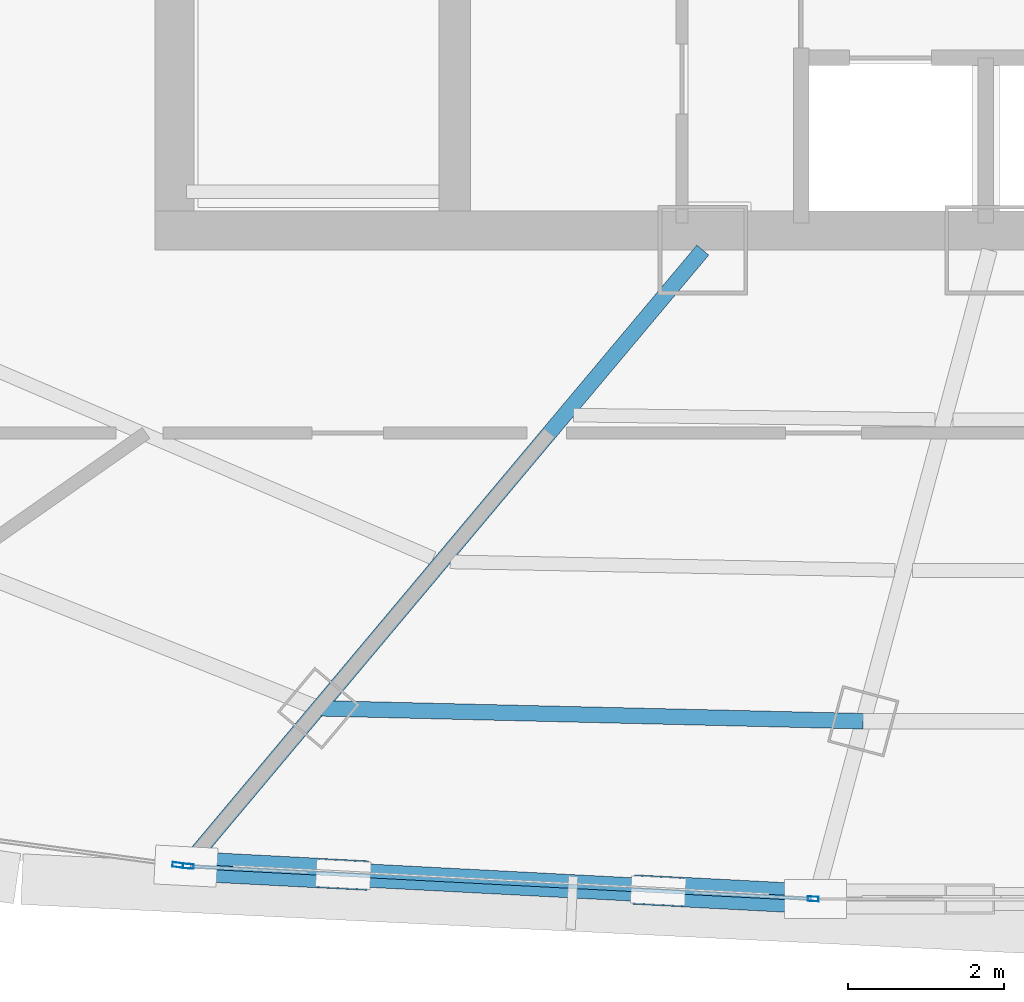
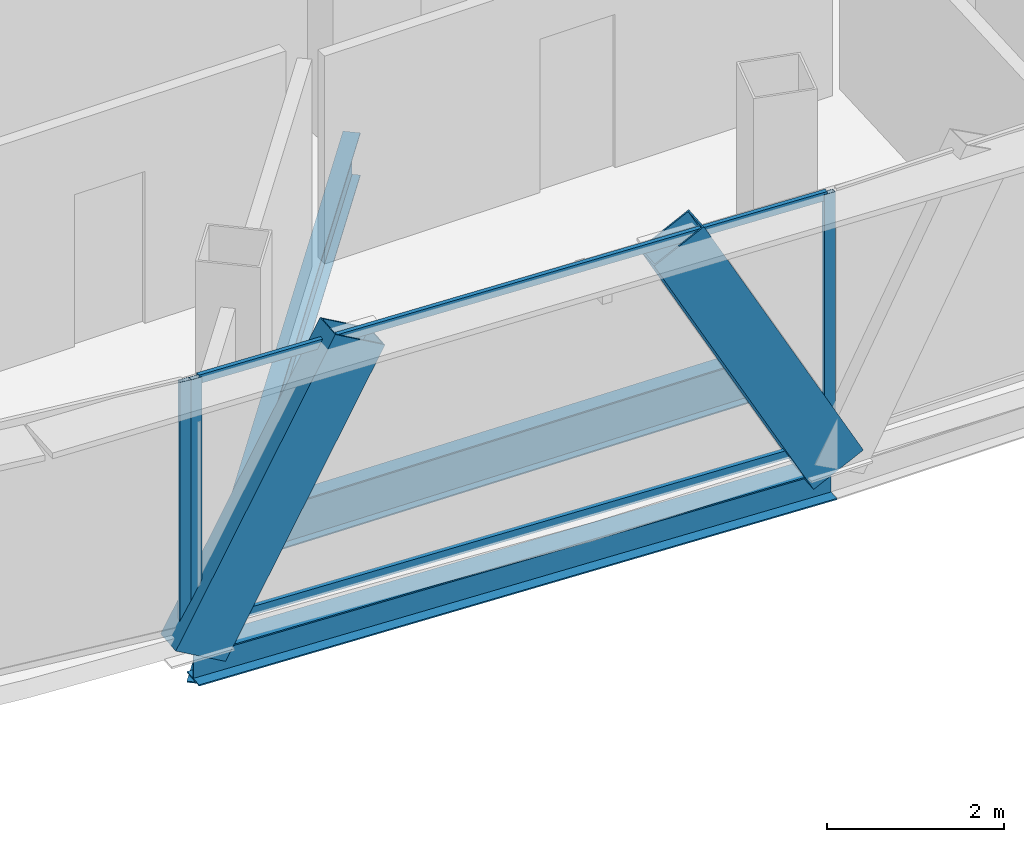
# One storey, part 6 of 40: 7 members, 3 beams, 2 elements without a shape of their own.
"""IFC4 building model written with IfcOpenShell, lengths in metres."""

from ifc_helpers import new_model, si_unit, direction, frame, origin, origin_2d, place, context, subcontext, project, spatial, hollow_rectangle, i_section, extrude, source, transform, mapped, material, layer, layer_set, material_profile, profile_set, type_object, element, aggregate, save


model = new_model("IFC4")

# Units and contexts
model_context = context("Model", 3, precision=1e-05, world=origin(), true_north=direction((0.0, 1.0)))
body_context = subcontext(model_context, "Body", "Model", "MODEL_VIEW")
ifc_project = project(units=[si_unit("LENGTHUNIT", "METRE"), si_unit("AREAUNIT", "SQUARE_METRE"), si_unit("VOLUMEUNIT", "CUBIC_METRE"), si_unit("PLANEANGLEUNIT", "RADIAN"), si_unit("MASSUNIT", "GRAM", prefix="KILO"), si_unit("THERMODYNAMICTEMPERATUREUNIT", "KELVIN"), si_unit("POWERUNIT", "WATT")], contexts=[model_context])

# Site, building, storey
site_placement = place(None, origin())
site = spatial("IfcSite", under=ifc_project, at=site_placement, CompositionType="ELEMENT")
building_placement = place(site_placement, origin())
building = spatial("IfcBuilding", under=site, at=building_placement, Name="Yunzhuo Pagoda Commons", CompositionType="ELEMENT")
storey_placement = place(building_placement, frame((0.0, 0.0, 288.75)))
storey = spatial("IfcBuildingStorey", under=building, at=storey_placement, Name="L72", CompositionType="ELEMENT", Elevation=288.75)

# Beams
ifc_material_1 = material(Name="Structural steel Q355B", Category="steel")
ifc_material_profile_1 = material_profile(ifc_material_1, i_section(OverallWidth=0.199951171875, OverallDepth=0.60009765625, WebThickness=0.010986328125, FlangeThickness=0.01708984375, at=origin_2d()), Name="Structural steel Q355B")
ifc_profile_set_1 = profile_set([ifc_material_profile_1], Name="Structural steel Q355B")
beam_type_1 = type_object("IfcBeamType", Name="B-RG3 Beam HN 600x200x11x17", PredefinedType="BEAM", material=ifc_profile_set_1)
shared_shape_1 = source(origin(), body_context, "Body", "SweptSolid", [
    extrude(i_section(OverallWidth=0.199951171875, OverallDepth=0.60009765625, WebThickness=0.010986328125, FlangeThickness=0.01708984375, at=origin_2d()), origin(), (0.0, 0.0, 1.0), 7.00439453125),
])
beam_1_placement = place(storey_placement, frame((37.64697265625, 21.361572265625, -0.56005859375), z_axis=(0.999719077883, -0.023701588905, 0.0), x_axis=(0.023701588905, 0.999719077883, 0.0)))
element("IfcBeam", 1, at=beam_1_placement, inside=storey, type_object=beam_type_1, Name="L72 column-ring beam 1", PredefinedType="BEAM", context=body_context, shape_type="MappedRepresentation", body=[
    mapped(shared_shape_1, transform((0.0, 0.0, 0.0), scale=1.0)),
])
shared_shape_2 = source(origin(), body_context, "Body", "SweptSolid", [
    extrude(i_section(OverallWidth=0.199951171875, OverallDepth=0.60009765625, WebThickness=0.010986328125, FlangeThickness=0.01708984375, at=origin_2d()), origin(), (0.0, 0.0, 1.0), 10.179443359375),
])
beam_2_placement = place(storey_placement, frame((36.044677734375, 19.4521484375, -0.56005859375), z_axis=(0.642789830325, 0.766042579776, 0.0), x_axis=(-0.766042579776, 0.642789830325, 0.0)))
element("IfcBeam", 2, at=beam_2_placement, inside=storey, type_object=beam_type_1, Name="L72 radial floor girder F1C1", PredefinedType="BEAM", context=body_context, shape_type="MappedRepresentation", body=[
    mapped(shared_shape_2, transform((0.0, 0.0, 0.0), scale=1.0)),
])
ifc_material_profile_2 = material_profile(ifc_material_1, i_section(OverallWidth=0.300048828125, OverallDepth=0.43994140625, WebThickness=0.010986328125, FlangeThickness=0.01806640625, at=origin_2d()), Name="Structural steel Q355B")
ifc_profile_set_2 = profile_set([ifc_material_profile_2], Name="Structural steel Q355B")
beam_type_2 = type_object("IfcBeamType", Name="B-SP2 Beam HM 440x300x11x18", PredefinedType="BEAM", material=ifc_profile_set_2)
shared_shape_3 = source(origin(), body_context, "Body", "SweptSolid", [
    extrude(i_section(OverallWidth=0.300048828125, OverallDepth=0.43994140625, WebThickness=0.010986328125, FlangeThickness=0.01806640625, at=origin_2d()), origin(), (0.0, 0.0, 1.0), 8.10302734375),
])
beam_3_placement = place(storey_placement, frame((35.945068359375, 19.33349609375, -0.479736328125), z_axis=(0.998639054255, -0.052153996166, 0.0), x_axis=(0.052153996166, 0.998639054255, 0.0)))
element("IfcBeam", 3, at=beam_3_placement, inside=storey, type_object=beam_type_2, Name="L72 facade edge spandrel beam F1.1", PredefinedType="BEAM", context=body_context, shape_type="MappedRepresentation", body=[
    mapped(shared_shape_3, transform((0.0, 0.0, 0.0), scale=1.0)),
])

# Members
ifc_material_profile_3 = material_profile(ifc_material_1, hollow_rectangle(XDim=0.3798828125, YDim=0.719970703125, WallThickness=0.02001953125, at=origin_2d()), Name="Structural steel Q355B")
ifc_profile_set_3 = profile_set([ifc_material_profile_3], Name="Structural steel Q355B")
member_type_1 = type_object("IfcMemberType", Name="M-DL3 Brace BOX 720x380x20", PredefinedType="BRACE", material=ifc_profile_set_3)
shared_shape_4 = source(origin(), body_context, "Body", "SweptSolid", [
    extrude(hollow_rectangle(XDim=0.3798828125, YDim=0.719970703125, WallThickness=0.02001953125, at=origin_2d()), origin(), (0.0, 0.0, 1.0), 4.24462890625),
])
for number, where, z_axis, x_axis, name in (
    (4, (35.945068359375, 19.33349609375, -0.260009765625), (0.476598580338, -0.02490552562, 0.878768176491), (0.052185613721, 0.998637402524, 0.0), "L72 facade diamond brace F1.1L"),
    (5, (44.037109375, 18.910888671875, -0.260009765625), (-0.476599262293, 0.024848042639, 0.878769433901), (-0.05206541976, -0.998643676226, 0.0), "L72 facade diamond brace F1.1R"),
):
    element("IfcMember", number, at=place(storey_placement, frame(where, z_axis=z_axis, x_axis=x_axis)), inside=storey, type_object=member_type_1, Name=name, PredefinedType="BRACE", context=body_context, shape_type="MappedRepresentation", body=[
        mapped(shared_shape_4, transform((0.0, 0.0, 0.0), scale=1.0)),
    ])

# Curtain wall, members
ifc_material_2 = material(Name="Anodized aluminium 6063-T6", Category="aluminium")
ifc_layer = layer(ifc_material_2, 0.139892578125)
ifc_layer_set = layer_set([ifc_layer], Name="Anodized aluminium 6063-T6")
curtain_wall_type = type_object("IfcCurtainWallType", Name="CW-HI High-Zone Ribbon Curtain Wall", PredefinedType="NOTDEFINED", material=ifc_layer_set)
curtain_wall_1_placement = place(storey_placement, origin())
curtain_wall_1 = element("IfcCurtainWall", 6, at=curtain_wall_1_placement, inside=storey, type_object=curtain_wall_type, Name="L72 curtain wall CW-L72-F1B2", PredefinedType="NOTDEFINED")
ifc_material_profile_4 = material_profile(ifc_material_2, hollow_rectangle(XDim=0.06005859375, YDim=0.139892578125, WallThickness=0.00341796875, at=origin_2d()), Name="Anodized aluminium 6063-T6")
ifc_profile_set_4 = profile_set([ifc_material_profile_4], Name="Anodized aluminium 6063-T6")
member_type_2 = type_object("IfcMemberType", Name="CW-HI-M Mullion RHS 140x60x3.5", PredefinedType="MULLION", material=ifc_profile_set_4)
shared_shape_5 = source(origin(), body_context, "Body", "SweptSolid", [
    extrude(hollow_rectangle(XDim=0.06005859375, YDim=0.139892578125, WallThickness=0.00341796875, at=origin_2d()), origin(), (0.0, 0.0, 1.0), 3.469970703125),
])
member_1_placement = place(storey_placement, frame((35.97509765625, 19.33203125, 0.0), z_axis=(0.0, 0.0, 1.0), x_axis=(0.052189625547, 0.998637192871, 0.0)))
member_1 = element("IfcMember", 7, at=member_1_placement, type_object=member_type_2, Name="CW mullion 1", PredefinedType="MULLION", context=body_context, shape_type="MappedRepresentation", body=[
    mapped(shared_shape_5, transform((0.0, 0.0, 0.0), scale=1.0)),
])
member_2_placement = place(storey_placement, frame((44.00732421875, 18.912109375, 0.0), z_axis=(0.0, 0.0, 1.0), x_axis=(0.052189625547, 0.998637192871, 0.0)))
member_2 = element("IfcMember", 8, at=member_2_placement, type_object=member_type_2, Name="CW mullion 2", PredefinedType="MULLION", context=body_context, shape_type="MappedRepresentation", body=[
    mapped(shared_shape_5, transform((0.0, 0.0, 0.0), scale=1.0)),
])

# Curtain wall, member
curtain_wall_2_placement = place(storey_placement, origin())
curtain_wall_2 = element("IfcCurtainWall", 9, at=curtain_wall_2_placement, inside=storey, type_object=curtain_wall_type, Name="L72 curtain wall CW-L72-F1B1", PredefinedType="NOTDEFINED")
member_3_placement = place(storey_placement, frame((35.84130859375, 19.34765625, 0.0), z_axis=(0.0, 0.0, 1.0), x_axis=(0.134853980826, 0.99086548222, 0.0)))
member_3 = element("IfcMember", 10, at=member_3_placement, type_object=member_type_2, Name="CW mullion 2", PredefinedType="MULLION", context=body_context, shape_type="MappedRepresentation", body=[
    mapped(shared_shape_5, transform((0.0, 0.0, 0.0), scale=1.0)),
])
aggregate(curtain_wall_2, [member_3])

# Member
ifc_material_profile_5 = material_profile(ifc_material_2, hollow_rectangle(XDim=0.054931640625, YDim=0.1201171875, WallThickness=0.00341796875, at=origin_2d()), Name="Anodized aluminium 6063-T6")
ifc_profile_set_5 = profile_set([ifc_material_profile_5], Name="Anodized aluminium 6063-T6")
member_type_3 = type_object("IfcMemberType", Name="CW-HI-T Transom RHS 120x55x3.5", PredefinedType="USERDEFINED", material=ifc_profile_set_5)
shared_shape_6 = source(origin(), body_context, "Body", "SweptSolid", [
    extrude(hollow_rectangle(XDim=0.054931640625, YDim=0.1201171875, WallThickness=0.00341796875, at=origin_2d()), origin(), (0.0, 0.0, 1.0), 7.983154296875),
])
member_4_placement = place(storey_placement, frame((36.005126953125, 19.330322265625, 0.027587890625), z_axis=(0.998638030657, -0.052173592218, 0.0), x_axis=(0.052173592218, 0.998638030657, 0.0)))
member_4 = element("IfcMember", 11, at=member_4_placement, type_object=member_type_3, Name="CW transom 1.1", ObjectType="TRANSOM", PredefinedType="USERDEFINED", context=body_context, shape_type="MappedRepresentation", body=[
    mapped(shared_shape_6, transform((0.0, 0.0, 0.0), scale=1.0)),
])

member_5_placement = place(storey_placement, frame((36.005126953125, 19.330322265625, 3.4423828125), z_axis=(0.998638030657, -0.052173592218, 0.0), x_axis=(0.052173592218, 0.998638030657, 0.0)))
member_5 = element("IfcMember", 12, at=member_5_placement, type_object=member_type_3, Name="CW transom 1.2", ObjectType="TRANSOM", PredefinedType="USERDEFINED", context=body_context, shape_type="MappedRepresentation", body=[
    mapped(shared_shape_6, transform((0.0, 0.0, 0.0), scale=1.0)),
])

aggregate(curtain_wall_1, [member_1, member_2, member_4, member_5])

save(model, "model.ifc")
